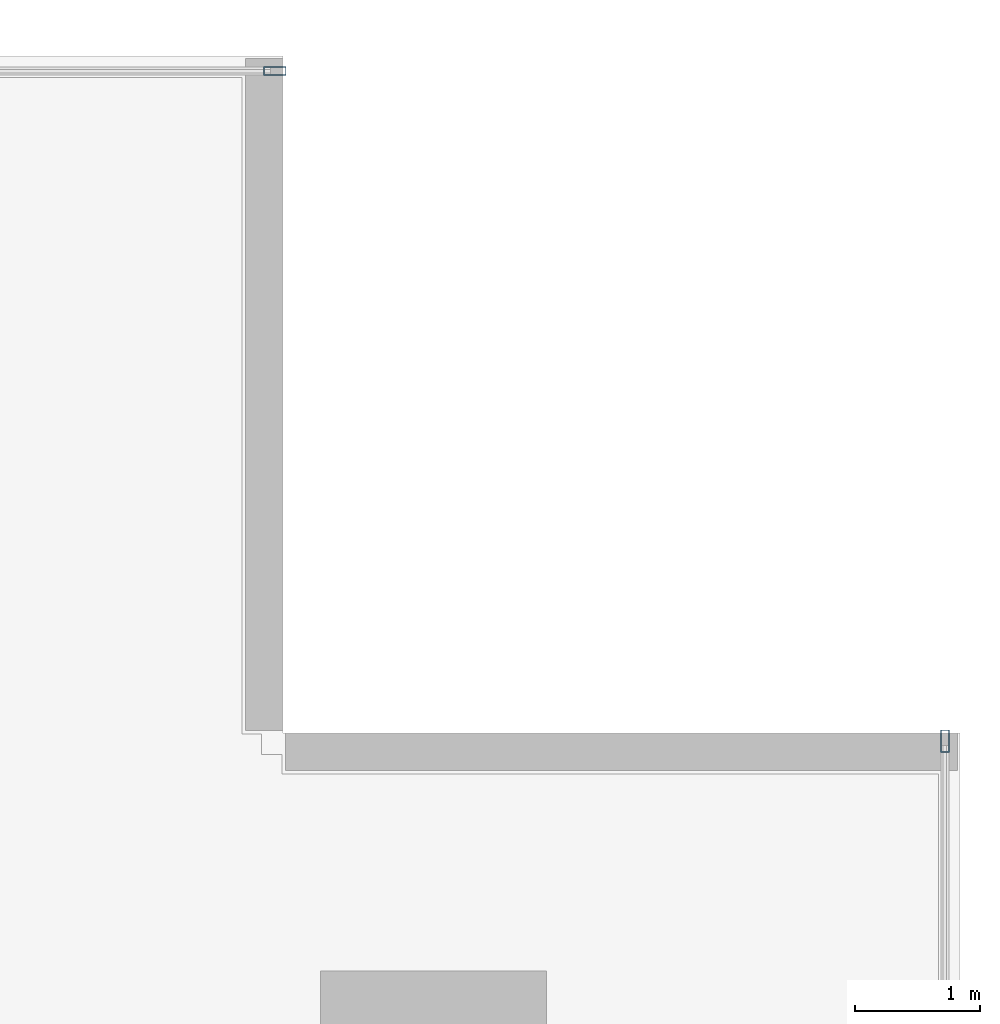
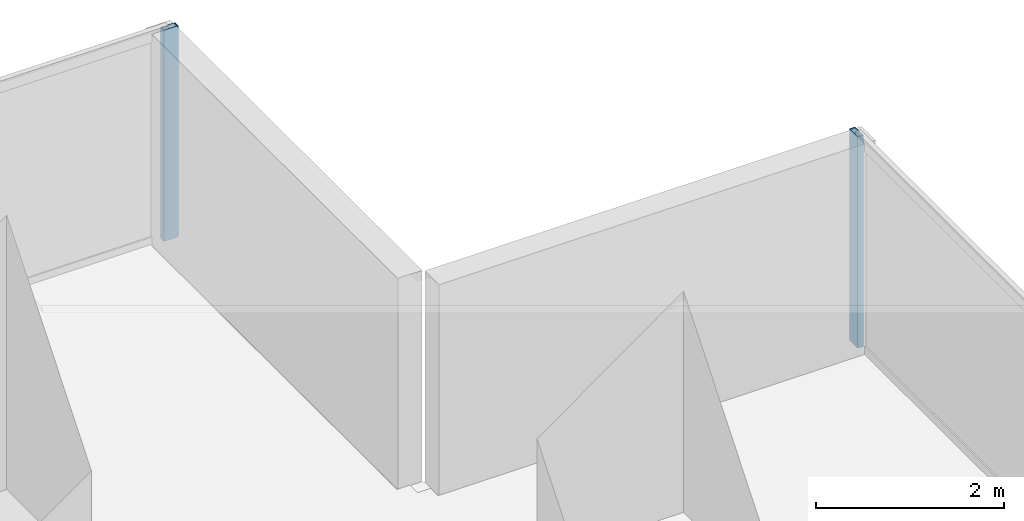
# One storey, part 23 of 34: 2 members, 2 elements without a shape of their own.
"""IFC4 building model written with IfcOpenShell, lengths in metres."""

import ifcopenshell
import ifcopenshell.guid

model = None  # the IFC model being written
_history = None  # IfcOwnerHistory: only IFC2X3 demands one
_inside = {}  # id of a spatial element -> (the spatial element, [elements in it])
_under = {}  # id of a project, library or spatial element -> (it, [spatial elements below it])
_declared = {}  # id of a project -> (the project, [libraries it declares])
_typed = {}  # id of a type object -> (the type object, [elements of that type])
_made_of = {}  # id of a material, layer set ... -> (it, [elements and type objects made of it])


def new_model(schema):
    """Start an empty IFC model of exactly this schema.

    Asked for "IFC4X3", IfcOpenShell would pick the latest addendum, in which some entities
    have other attributes; the version numbers below select the first issue.
    IFC2X3 requires an IfcOwnerHistory on every rooted entity: one is made here for all.
    """
    global model, _history
    if schema == "IFC4X3":
        model = ifcopenshell.file(schema_version=(4, 3, 0, 0))
    else:
        model = ifcopenshell.file(schema=schema)
    _inside.clear()
    _under.clear()
    _declared.clear()
    _typed.clear()
    _made_of.clear()
    _history = None
    if model.schema == "IFC2X3":
        org = make("IfcOrganization", Name="unknown")
        user = make(
            "IfcPersonAndOrganization",
            ThePerson=make("IfcPerson", FamilyName="unknown"),
            TheOrganization=org,
        )
        app = make(
            "IfcApplication",
            ApplicationDeveloper=org,
            Version="unknown",
            ApplicationFullName="unknown",
            ApplicationIdentifier="unknown",
        )
        _history = make(
            "IfcOwnerHistory",
            OwningUser=user,
            OwningApplication=app,
            ChangeAction="ADDED",
            CreationDate=0,
        )
    return model


def make(cls, **values):
    """One entity of the class cls with the attributes given. An attribute that is None is left unset."""
    return model.create_entity(
        cls, **{name: value for name, value in values.items() if value is not None}
    )


def rooted(cls, **values):
    """An entity with a GlobalId (a new one), such as an element, a storey or a relation."""
    return make(cls, GlobalId=ifcopenshell.guid.new(), OwnerHistory=_history, **values)


def si_unit(unit_type, name, prefix=None):
    """IfcSIUnit, for example si_unit("LENGTHUNIT", "METRE", prefix="MILLI")."""
    return make("IfcSIUnit", UnitType=unit_type, Prefix=prefix, Name=name)


def assignment(units):
    """IfcUnitAssignment: the units of a project."""
    return None if units is None else make("IfcUnitAssignment", Units=units)


def point(xyz):
    """IfcCartesianPoint."""
    return None if xyz is None else make("IfcCartesianPoint", Coordinates=xyz)


def direction(xyz):
    """IfcDirection."""
    return None if xyz is None else make("IfcDirection", DirectionRatios=xyz)


def frame(location, z_axis=None, x_axis=None):
    """IfcAxis2Placement3D, a coordinate frame: its origin and axes. An axis left out is left unset."""
    return make(
        "IfcAxis2Placement3D",
        Location=point(location),
        Axis=direction(z_axis),
        RefDirection=direction(x_axis),
    )


def frame_2d(location, x_axis=None):
    """IfcAxis2Placement2D, a coordinate frame in the plane: its origin and x axis."""
    return make(
        "IfcAxis2Placement2D", Location=point(location), RefDirection=direction(x_axis)
    )


def origin():
    """The frame at (0, 0, 0) with its axes left unset."""
    return frame((0.0, 0.0, 0.0))


def origin_2d():
    """The frame at (0, 0) in the plane with its x axis left unset."""
    return frame_2d((0.0, 0.0))


def place(relative_to, where):
    """IfcLocalPlacement: puts the frame where relative to a parent placement (None: the world)."""
    return make(
        "IfcLocalPlacement", PlacementRelTo=relative_to, RelativePlacement=where
    )


def context(
    kind, dimensions, precision=None, world=None, true_north=None, identifier=None
):
    """IfcGeometricRepresentationContext, for example the 3D "Model" context."""
    return make(
        "IfcGeometricRepresentationContext",
        ContextIdentifier=identifier,
        ContextType=kind,
        CoordinateSpaceDimension=dimensions,
        Precision=precision,
        WorldCoordinateSystem=world,
        TrueNorth=true_north,
    )


def subcontext(parent, identifier, kind, view, scale=None):
    """IfcGeometricRepresentationSubContext, for example "Body" below "Model"."""
    return make(
        "IfcGeometricRepresentationSubContext",
        ContextIdentifier=identifier,
        ContextType=kind,
        ParentContext=parent,
        TargetScale=scale,
        TargetView=view,
    )


def project(units=None, contexts=None):
    """IfcProject with its units and contexts."""
    return rooted(
        "IfcProject",
        Name="project",
        RepresentationContexts=contexts,
        UnitsInContext=assignment(units),
    )


def spatial(cls, under=None, at=None, **own):
    """A site, building, storey or space (cls), placed at a placement, below another one or the project."""
    s = rooted(cls, ObjectPlacement=at, **own)
    if under is not None:
        _under.setdefault(under.id(), (under, []))[1].append(s)
    return s


def profile(cls, at=None, kind="AREA", **sizes):
    """A parametric profile (cls). Its sizes go by their IFC names, for example OverallWidth=200.0."""
    return make(cls, ProfileType=kind, Position=at, **sizes)


def hollow_rectangle(**sizes):
    """IfcRectangleHollowProfileDef."""
    return profile("IfcRectangleHollowProfileDef", **sizes)


def extrude(swept, where, along, depth):
    """IfcExtrudedAreaSolid: the profile swept, set in the frame where, extruded along a direction by depth."""
    return make(
        "IfcExtrudedAreaSolid",
        SweptArea=swept,
        Position=where,
        ExtrudedDirection=direction(along),
        Depth=depth,
    )


def shape(context_of_items, identifier, shape_type, items):
    """IfcShapeRepresentation: the items that make up one representation, for example the "Body"."""
    return make(
        "IfcShapeRepresentation",
        ContextOfItems=context_of_items,
        RepresentationIdentifier=identifier,
        RepresentationType=shape_type,
        Items=items,
    )


def source(mapping_origin, context_of_items, identifier, shape_type, items):
    """IfcRepresentationMap: a shape defined once, which mapped items show again and again."""
    return make(
        "IfcRepresentationMap",
        MappingOrigin=mapping_origin,
        MappedRepresentation=shape(context_of_items, identifier, shape_type, items),
    )


def transform(
    local_origin,
    x_axis=None,
    y_axis=None,
    z_axis=None,
    scale=None,
    scale2=None,
    scale3=None,
    uniform=True,
):
    """IfcCartesianTransformationOperator3D, or its non-uniform kind. x_axis, y_axis, z_axis: its Axis1, 2, 3."""
    if uniform:
        return make(
            "IfcCartesianTransformationOperator3D",
            Axis1=direction(x_axis),
            Axis2=direction(y_axis),
            LocalOrigin=point(local_origin),
            Scale=scale,
            Axis3=direction(z_axis),
        )
    return make(
        "IfcCartesianTransformationOperator3DnonUniform",
        Axis1=direction(x_axis),
        Axis2=direction(y_axis),
        LocalOrigin=point(local_origin),
        Scale=scale,
        Axis3=direction(z_axis),
        Scale2=scale2,
        Scale3=scale3,
    )


def mapped(mapping_source, mapping_target):
    """IfcMappedItem: shows the shape of a source again, moved by a transform."""
    return make(
        "IfcMappedItem", MappingSource=mapping_source, MappingTarget=mapping_target
    )


def material(Name=None, Category=None):
    """IfcMaterial."""
    return make("IfcMaterial", Name=Name, Category=Category)


def layer(
    of_material, thickness, ventilated=None, Name=None, Category=None, Priority=None
):
    """IfcMaterialLayer: one layer of a wall or slab, of a material (None: an air gap)."""
    return make(
        "IfcMaterialLayer",
        Material=of_material,
        LayerThickness=thickness,
        IsVentilated=ventilated,
        Name=Name,
        Category=Category,
        Priority=Priority,
    )


def layer_set(layers, Name=None):
    """IfcMaterialLayerSet."""
    return make("IfcMaterialLayerSet", MaterialLayers=layers, LayerSetName=Name)


def material_profile(
    of_material, cross_section, Name=None, Category=None, Priority=None
):
    """IfcMaterialProfile: a cross section and its material."""
    return make(
        "IfcMaterialProfile",
        Name=Name,
        Material=of_material,
        Profile=cross_section,
        Priority=Priority,
        Category=Category,
    )


def profile_set(profiles, Name=None, composite=None):
    """IfcMaterialProfileSet."""
    return make(
        "IfcMaterialProfileSet",
        Name=Name,
        MaterialProfiles=profiles,
        CompositeProfile=composite,
    )


def made_of(thing, what):
    """Note that an element or type object is made of a material, layer set ...; save() writes the relation."""
    if what is not None:
        _made_of.setdefault(what.id(), (what, []))[1].append(thing)
    return thing


def type_object(cls, material=None, **own):
    """A type object (cls), such as IfcWallType, which elements share."""
    return made_of(rooted(cls, **own), material)


def element(
    cls,
    number,
    at=None,
    inside=None,
    cuts=None,
    type_object=None,
    material=None,
    context=None,
    identifier="Body",
    shape_type=None,
    held_by="IfcProductDefinitionShape",
    body=None,
    shapes=None,
    **own,
):
    """One element of the class cls, such as IfcWall. Its Tag is "e" and its number.

    at: its placement. inside: the storey or other place that contains it. cuts: it is an
    opening in that element (IfcRelVoidsElement). A single representation is given by context,
    identifier, shape_type and body (its items); several are given by shapes. held_by: the class
    of the entity that holds the representations. save() writes the other relations.
    """
    e = rooted(cls, Tag="e%d" % number, ObjectPlacement=at, **own)
    if body is not None:
        shapes = [shape(context, identifier, shape_type, body)]
    if shapes is not None:
        e.Representation = make(held_by, Representations=shapes)
    if inside is not None:
        _inside.setdefault(inside.id(), (inside, []))[1].append(e)
    if cuts is not None:
        rooted(
            "IfcRelVoidsElement", RelatingBuildingElement=cuts, RelatedOpeningElement=e
        )
    if type_object is not None:
        _typed.setdefault(type_object.id(), (type_object, []))[1].append(e)
    return made_of(e, material)


def aggregate(whole, parts):
    """IfcRelAggregates: a whole, such as a stair, and the parts it consists of."""
    return rooted("IfcRelAggregates", RelatingObject=whole, RelatedObjects=parts)


def save(model, path):
    """Write the relations noted so far, then the file.

    IfcRelAggregates (storeys below a building ...), IfcRelContainedInSpatialStructure (elements
    in a storey), IfcRelDefinesByType, IfcRelAssociatesMaterial and IfcRelDeclares: one each for
    every whole, place, type object, material and project.
    """
    for whole, parts in _under.values():
        aggregate(whole, parts)
    for where, things in _inside.values():
        rooted(
            "IfcRelContainedInSpatialStructure",
            RelatedElements=things,
            RelatingStructure=where,
        )
    for kind, things in _typed.values():
        rooted("IfcRelDefinesByType", RelatedObjects=things, RelatingType=kind)
    for what, things in _made_of.values():
        rooted("IfcRelAssociatesMaterial", RelatedObjects=things, RelatingMaterial=what)
    for by, libraries in _declared.values():
        rooted("IfcRelDeclares", RelatingContext=by, RelatedDefinitions=libraries)
    model.write(path)


model = new_model("IFC4")

# Units and contexts
model_context = context("Model", 3, precision=1e-05, world=origin(), true_north=direction((0.0, 1.0)))
body_context = subcontext(model_context, "Body", "Model", "MODEL_VIEW")
ifc_project = project(units=[si_unit("LENGTHUNIT", "METRE"), si_unit("AREAUNIT", "SQUARE_METRE"), si_unit("VOLUMEUNIT", "CUBIC_METRE"), si_unit("PLANEANGLEUNIT", "RADIAN"), si_unit("MASSUNIT", "GRAM", prefix="KILO")], contexts=[model_context])

# Site, building, storey
site_placement = place(None, origin())
site = spatial("IfcSite", under=ifc_project, at=site_placement, CompositionType="ELEMENT")
building_placement = place(site_placement, origin())
building = spatial("IfcBuilding", under=site, at=building_placement, Name="Sumidabori Civic Tower", CompositionType="ELEMENT")
storey_placement = place(building_placement, frame((0.0, 0.0, 56.0)))
storey = spatial("IfcBuildingStorey", under=building, at=storey_placement, Name="L14", CompositionType="ELEMENT", Elevation=56.0)

# Curtain wall, member
ifc_material = material(Name="Anodised Bronze Aluminium AW-6063-T6", Category="aluminium")
ifc_layer = layer(ifc_material, 0.179931640625, Name="Anodised Bronze Aluminium AW-6063-T6")
ifc_layer_set = layer_set([ifc_layer], Name="Anodised Bronze Aluminium AW-6063-T6")
curtain_wall_type = type_object("IfcCurtainWallType", Name="CW-SYS-2", PredefinedType="NOTDEFINED", material=ifc_layer_set)
curtain_wall_1_placement = place(storey_placement, origin())
curtain_wall_1 = element("IfcCurtainWall", 1, at=curtain_wall_1_placement, inside=storey, type_object=curtain_wall_type, Name="Curtain Wall CW:L14:R04", PredefinedType="NOTDEFINED")
ifc_material_profile = material_profile(ifc_material, hollow_rectangle(XDim=0.070068359375, YDim=0.179931640625, WallThickness=0.006103515625, at=origin_2d()), Name="ALU MULLION 180x70")
ifc_profile_set = profile_set([ifc_material_profile], Name="Anodised Bronze Aluminium AW-6063-T6")
member_type = type_object("IfcMemberType", Name="CW-MUL-180", PredefinedType="MULLION", material=ifc_profile_set)
shared_shape = source(origin(), body_context, "Body", "SweptSolid", [
    extrude(hollow_rectangle(XDim=0.070068359375, YDim=0.179931640625, WallThickness=0.006103515625, at=origin_2d()), origin(), (0.0, 0.0, 1.0), 2.739990234375),
])
member_1_placement = place(storey_placement, frame((26.8798828125, 21.534912109375, 0.0), z_axis=(0.0, 0.0, 1.0), x_axis=(-1.0, 0.0, 0.0)))
member_1 = element("IfcMember", 2, at=member_1_placement, type_object=member_type, Name="CW-2 mullion 6", PredefinedType="MULLION", context=body_context, shape_type="MappedRepresentation", body=[
    mapped(shared_shape, transform((0.0, 0.0, 0.0), x_axis=(1.0, 0.0, 0.0), y_axis=(0.0, 1.0, 0.0), z_axis=(0.0, 0.0, 1.0), scale=1.0)),
])
aggregate(curtain_wall_1, [member_1])

curtain_wall_2_placement = place(storey_placement, origin())
curtain_wall_2 = element("IfcCurtainWall", 3, at=curtain_wall_2_placement, inside=storey, type_object=curtain_wall_type, Name="Curtain Wall CW:L14:R07", PredefinedType="NOTDEFINED")
member_2_placement = place(storey_placement, frame((21.534912109375, 26.8798828125, 0.0), z_axis=(0.0, 0.0, 1.0), x_axis=(0.0, -1.0, 0.0)))
member_2 = element("IfcMember", 4, at=member_2_placement, type_object=member_type, Name="CW-2 mullion 1", PredefinedType="MULLION", context=body_context, shape_type="MappedRepresentation", body=[
    mapped(shared_shape, transform((0.0, 0.0, 0.0), x_axis=(1.0, 0.0, 0.0), y_axis=(0.0, 1.0, 0.0), z_axis=(0.0, 0.0, 1.0), scale=1.0)),
])
aggregate(curtain_wall_2, [member_2])

save(model, "model.ifc")
